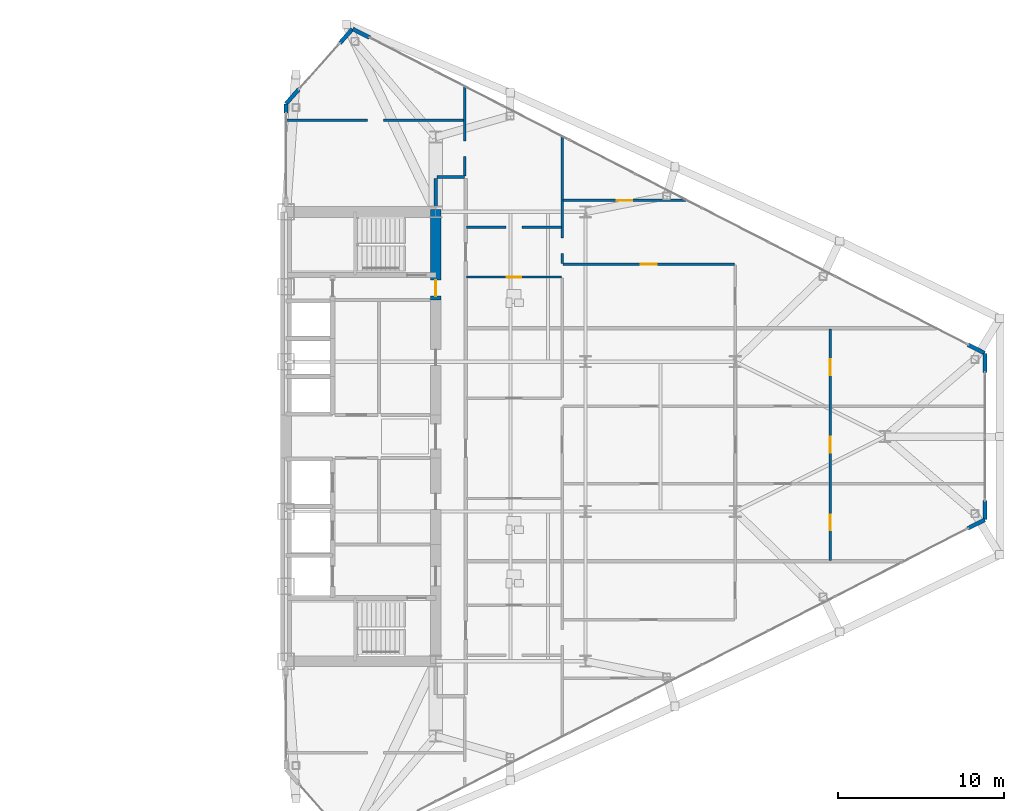
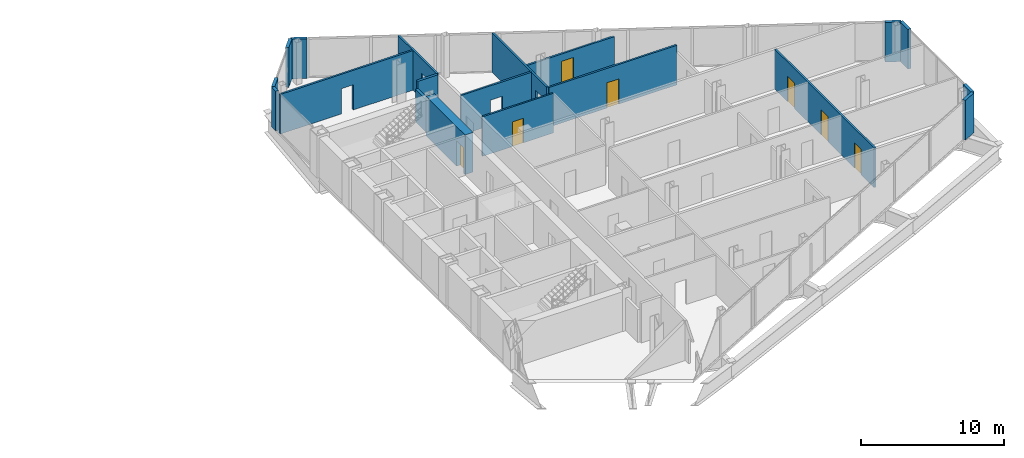
# One storey, part 24 of 28: 19 walls, 7 doors, 11 openings.
"""IFC4 building model written with IfcOpenShell, lengths in metres."""

from ifc_helpers import new_model, si_unit, direction, frame, frame_2d, origin, place, context, subcontext, project, spatial, rectangle, extrude, source, transform, mapped, material, layer, layer_set, type_object, type_shapes, element, fill, save


model = new_model("IFC4")

# Units and contexts
model_context = context("Model", 3, precision=1e-05, world=origin(), true_north=direction((0.0, 1.0)))
body_context = subcontext(model_context, "Body", "Model", "MODEL_VIEW")
ifc_project = project(units=[si_unit("LENGTHUNIT", "METRE"), si_unit("AREAUNIT", "SQUARE_METRE"), si_unit("VOLUMEUNIT", "CUBIC_METRE"), si_unit("PLANEANGLEUNIT", "RADIAN"), si_unit("MASSUNIT", "GRAM", prefix="KILO")], contexts=[model_context])

# Site, building, storey
site_placement = place(None, origin())
site = spatial("IfcSite", under=ifc_project, at=site_placement, CompositionType="ELEMENT")
building_placement = place(site_placement, origin())
building = spatial("IfcBuilding", under=site, at=building_placement, Name="Seokmaru Belvedere", CompositionType="ELEMENT")
storey_placement = place(building_placement, frame((0.0, 0.0, 110.39990234375)))
storey = spatial("IfcBuildingStorey", under=building, at=storey_placement, Name="L29", CompositionType="ELEMENT", Elevation=110.39990234375)

# Wall, opening, door
ifc_material_1 = material(Name="Fire-Rated Gypsum Shaftwall")
ifc_layer_1 = layer(ifc_material_1, 0.14990234375)
ifc_layer_set_1 = layer_set([ifc_layer_1], Name="Fire-Rated Gypsum Shaftwall")
wall_type_1 = type_object("IfcWallType", Name="Apartment Fire-Acoustic Room Partition 150", PredefinedType="PARTITIONING", material=ifc_layer_set_1)
wall_1_placement = place(storey_placement, frame((44.14990234375, 10.35009765625, 0.0), z_axis=(0.0, 0.0, 1.0), x_axis=(1.0, 0.0, 0.0)))
wall_1 = element("IfcWall", 1, at=wall_1_placement, inside=storey, type_object=wall_type_1, Name="L29 Interior Partition 028", PredefinedType="PARTITIONING", context=body_context, shape_type="SweptSolid", body=[
    extrude(rectangle(XDim=10.300048828125, YDim=0.14990234375, at=frame_2d((5.14990234375, 0.0))), origin(), (0.0, 0.0, 1.0), 3.380126953125),
])
opening_1_placement = place(wall_1_placement, frame((4.675048828125, 0.0, 0.0)))
opening_1 = element("IfcOpeningElement", 2, at=opening_1_placement, cuts=wall_1, Name="Opening D05", PredefinedType="OPENING", context=body_context, shape_type="SweptSolid", body=[
    extrude(rectangle(XDim=0.949951171875, YDim=2.14990234375, at=frame_2d((0.47509765625, 1.074951171875))), frame((0.0, 0.0849609375, 0.0), z_axis=(0.0, -1.0, 0.0), x_axis=(1.0, 0.0, 0.0)), (0.0, 0.0, 1.0), 0.169921875),
])
ifc_material_2 = material(Name="Engineered White Oak Timber", Category="wood")
door_type_1 = type_object("IfcDoorType", Name="Apartment Interior Fire-Rated Oak Door 950x2150", OperationType="NOTDEFINED", PredefinedType="DOOR", material=ifc_material_2)
shared_shape_1 = source(origin(), body_context, "Body", "SweptSolid", [
    extrude(rectangle(XDim=0.949951171875, YDim=2.14990234375, at=frame_2d((0.47509765625, 1.074951171875))), frame((0.0, 0.02490234375, 0.0), z_axis=(0.0, -1.0, 0.0), x_axis=(1.0, 0.0, 0.0)), (0.0, 0.0, 1.0), 0.050048828125),
])
type_shapes(door_type_1, [shared_shape_1])
door_1_placement = place(opening_1_placement, origin())
door_1 = element("IfcDoor", 3, at=door_1_placement, inside=storey, type_object=door_type_1, Name="L29 Interior Door 061", OperationType="SINGLE_SWING_RIGHT", OverallHeight=2.14990234375, OverallWidth=0.949951171875, PredefinedType="DOOR", context=body_context, shape_type="MappedRepresentation", body=[
    mapped(shared_shape_1, transform((0.0, 0.0, 0.0), scale=1.0)),
])
fill(opening_1, door_1)

# Wall, opening
wall_2_placement = place(storey_placement, frame((38.35009765625, 12.580078125, 0.0), z_axis=(0.0, 0.0, 1.0), x_axis=(1.0, 0.0, 0.0)))
wall_2 = element("IfcWall", 4, at=wall_2_placement, inside=storey, type_object=wall_type_1, Name="L29 Interior Partition 030", PredefinedType="PARTITIONING", context=body_context, shape_type="SweptSolid", body=[
    extrude(rectangle(XDim=5.699951171875, YDim=0.14990234375, at=frame_2d((2.85009765625, 0.0))), origin(), (0.0, 0.0, 1.0), 3.380126953125),
])
opening_2_placement = place(wall_2_placement, frame((2.375, 0.0, 0.0)))
element("IfcOpeningElement", 5, at=opening_2_placement, cuts=wall_2, Name="L29 Cased Opening 059", PredefinedType="OPENING", context=body_context, shape_type="SweptSolid", body=[
    extrude(rectangle(XDim=0.949951171875, YDim=2.14990234375, at=frame_2d((0.47509765625, 1.074951171875))), frame((0.0, 0.0849609375, 0.0), z_axis=(0.0, -1.0, 0.0), x_axis=(1.0, 0.0, 0.0)), (0.0, 0.0, 1.0), 0.169921875),
])

# Wall, opening, door
wall_3_placement = place(storey_placement, frame((44.14990234375, 14.18994140625, 0.0), z_axis=(0.0, 0.0, 1.0), x_axis=(1.0, 0.0, 0.0)))
wall_3 = element("IfcWall", 6, at=wall_3_placement, inside=storey, type_object=wall_type_1, Name="L29 Interior Partition 031", PredefinedType="PARTITIONING", context=body_context, shape_type="SweptSolid", body=[
    extrude(rectangle(XDim=7.47705078125, YDim=0.14990234375, at=frame_2d((3.738525390625, 0.0))), origin(), (0.0, 0.0, 1.0), 2.780029296875),
])
opening_3_placement = place(wall_3_placement, frame((3.22119140625, 0.0, 0.0)))
opening_3 = element("IfcOpeningElement", 7, at=opening_3_placement, cuts=wall_3, Name="Opening D05", PredefinedType="OPENING", context=body_context, shape_type="SweptSolid", body=[
    extrude(rectangle(XDim=0.949951171875, YDim=2.14990234375, at=frame_2d((0.47509765625, 1.074951171875))), frame((0.0, 0.0849609375, 0.0), z_axis=(0.0, -1.0, 0.0), x_axis=(1.0, 0.0, 0.0)), (0.0, 0.0, 1.0), 0.169921875),
])
door_2_placement = place(opening_3_placement, origin())
door_2 = element("IfcDoor", 8, at=door_2_placement, inside=storey, type_object=door_type_1, Name="L29 Interior Door 062", OperationType="SINGLE_SWING_LEFT", OverallHeight=2.14990234375, OverallWidth=0.949951171875, PredefinedType="DOOR", context=body_context, shape_type="MappedRepresentation", body=[
    mapped(shared_shape_1, transform((0.0, 0.0, 0.0), scale=1.0)),
])
fill(opening_3, door_2)

# Wall, opening
wall_4_placement = place(storey_placement, frame((27.465087890625, 19.0, 0.0), z_axis=(0.0, 0.0, 1.0), x_axis=(1.0, 0.0, 0.0)))
wall_4 = element("IfcWall", 9, at=wall_4_placement, inside=storey, type_object=wall_type_1, Name="L29 Interior Partition 036", PredefinedType="PARTITIONING", context=body_context, shape_type="SweptSolid", body=[
    extrude(rectangle(XDim=10.73486328125, YDim=0.14990234375, at=frame_2d((5.367431640625, 0.0))), origin(), (0.0, 0.0, 1.0), 3.380126953125),
])
opening_4_placement = place(wall_4_placement, frame((4.93505859375, 0.0, 0.0)))
element("IfcOpeningElement", 10, at=opening_4_placement, cuts=wall_4, Name="L29 Cased Opening 064", PredefinedType="OPENING", context=body_context, shape_type="SweptSolid", body=[
    extrude(rectangle(XDim=0.949951171875, YDim=2.14990234375, at=frame_2d((0.47509765625, 1.074951171875))), frame((0.0, 0.0849609375, 0.0), z_axis=(0.0, -1.0, 0.0), x_axis=(1.0, 0.0, 0.0)), (0.0, 0.0, 1.0), 0.169921875),
])

wall_5_placement = place(storey_placement, frame((38.25, 15.64990234375, 0.0), z_axis=(0.0, 0.0, 1.0), x_axis=(0.0, 1.0, 0.0)))
wall_5 = element("IfcWall", 11, at=wall_5_placement, inside=storey, type_object=wall_type_1, Name="L29 Interior Partition 050", PredefinedType="PARTITIONING", context=body_context, shape_type="SweptSolid", body=[
    extrude(rectangle(XDim=5.421142578125, YDim=0.14990234375, at=frame_2d((2.71044921875, 0.0))), origin(), (0.0, 0.0, 1.0), 3.380126953125),
])
opening_5_placement = place(wall_5_placement, frame((1.175048828125, 0.0, 0.0)))
element("IfcOpeningElement", 12, at=opening_5_placement, cuts=wall_5, Name="L29 Cased Opening 063", PredefinedType="OPENING", context=body_context, shape_type="SweptSolid", body=[
    extrude(rectangle(XDim=0.949951171875, YDim=2.14990234375, at=frame_2d((0.47509765625, 1.074951171875))), frame((0.0, 0.0849609375, 0.0), z_axis=(0.0, -1.0, 0.0), x_axis=(1.0, 0.0, 0.0)), (0.0, 0.0, 1.0), 0.169921875),
])

wall_6_placement = place(storey_placement, frame((44.10009765625, 10.39501953125, 0.0), z_axis=(0.0, 0.0, 1.0), x_axis=(0.0, 1.0, 0.0)))
wall_6 = element("IfcWall", 13, at=wall_6_placement, inside=storey, type_object=wall_type_1, Name="L29 Interior Partition 054", PredefinedType="PARTITIONING", context=body_context, shape_type="SweptSolid", body=[
    extrude(rectangle(XDim=7.674072265625, YDim=0.14990234375, at=frame_2d((3.8369140625, 0.0))), origin(), (0.0, 0.0, 1.0), 3.380126953125),
])
opening_6_placement = place(wall_6_placement, frame((0.591064453125, 0.0, 0.0)))
element("IfcOpeningElement", 14, at=opening_6_placement, cuts=wall_6, Name="L29 Cased Opening 060", PredefinedType="OPENING", context=body_context, shape_type="SweptSolid", body=[
    extrude(rectangle(XDim=0.949951171875, YDim=2.14990234375, at=frame_2d((0.47509765625, 1.074951171875))), frame((0.0, 0.0849609375, 0.0), z_axis=(0.0, -1.0, 0.0), x_axis=(1.0, 0.0, 0.0)), (0.0, 0.0, 1.0), 0.169921875),
])

# Wall, openings, doors
wall_7_placement = place(storey_placement, frame((60.199951171875, -7.449951171875, 0.0), z_axis=(0.0, 0.0, 1.0), x_axis=(0.0, 1.0, 0.0)))
wall_7 = element("IfcWall", 15, at=wall_7_placement, inside=storey, type_object=wall_type_1, Name="L29 Interior Partition 056", PredefinedType="PARTITIONING", context=body_context, shape_type="SweptSolid", body=[
    extrude(rectangle(XDim=13.89990234375, YDim=0.14990234375, at=frame_2d((6.949951171875, 0.0))), origin(), (0.0, 0.0, 1.0), 3.380126953125),
])
opening_7_placement = place(wall_7_placement, frame((1.808349609375, 0.0, 0.0)))
opening_7 = element("IfcOpeningElement", 16, at=opening_7_placement, cuts=wall_7, Name="Opening D05", PredefinedType="OPENING", context=body_context, shape_type="SweptSolid", body=[
    extrude(rectangle(XDim=0.949951171875, YDim=2.14990234375, at=frame_2d((0.47509765625, 1.074951171875))), frame((0.0, 0.0849609375, 0.0), z_axis=(0.0, -1.0, 0.0), x_axis=(1.0, 0.0, 0.0)), (0.0, 0.0, 1.0), 0.169921875),
])
opening_8_placement = place(wall_7_placement, frame((6.47509765625, 0.0, 0.0)))
opening_8 = element("IfcOpeningElement", 17, at=opening_8_placement, cuts=wall_7, Name="Opening D05", PredefinedType="OPENING", context=body_context, shape_type="SweptSolid", body=[
    extrude(rectangle(XDim=0.949951171875, YDim=2.14990234375, at=frame_2d((0.47509765625, 1.074951171875))), frame((0.0, 0.0849609375, 0.0), z_axis=(0.0, -1.0, 0.0), x_axis=(1.0, 0.0, 0.0)), (0.0, 0.0, 1.0), 0.169921875),
])
opening_9_placement = place(wall_7_placement, frame((11.1416015625, 0.0, 0.0)))
opening_9 = element("IfcOpeningElement", 18, at=opening_9_placement, cuts=wall_7, Name="Opening D05", PredefinedType="OPENING", context=body_context, shape_type="SweptSolid", body=[
    extrude(rectangle(XDim=0.949951171875, YDim=2.14990234375, at=frame_2d((0.47509765625, 1.074951171875))), frame((0.0, 0.0849609375, 0.0), z_axis=(0.0, -1.0, 0.0), x_axis=(1.0, 0.0, 0.0)), (0.0, 0.0, 1.0), 0.169921875),
])
door_3_placement = place(opening_7_placement, origin())
door_3 = element("IfcDoor", 19, at=door_3_placement, inside=storey, type_object=door_type_1, Name="L29 Interior Door 053", OperationType="SINGLE_SWING_LEFT", OverallHeight=2.14990234375, OverallWidth=0.949951171875, PredefinedType="DOOR", context=body_context, shape_type="MappedRepresentation", body=[
    mapped(shared_shape_1, transform((0.0, 0.0, 0.0), scale=1.0)),
])
fill(opening_7, door_3)
door_4_placement = place(opening_8_placement, origin())
door_4 = element("IfcDoor", 20, at=door_4_placement, inside=storey, type_object=door_type_1, Name="L29 Interior Door 054", OperationType="SINGLE_SWING_LEFT", OverallHeight=2.14990234375, OverallWidth=0.949951171875, PredefinedType="DOOR", context=body_context, shape_type="MappedRepresentation", body=[
    mapped(shared_shape_1, transform((0.0, 0.0, 0.0), scale=1.0)),
])
fill(opening_8, door_4)
door_5_placement = place(opening_9_placement, origin())
door_5 = element("IfcDoor", 21, at=door_5_placement, inside=storey, type_object=door_type_1, Name="L29 Interior Door 056", OperationType="SINGLE_SWING_LEFT", OverallHeight=2.14990234375, OverallWidth=0.949951171875, PredefinedType="DOOR", context=body_context, shape_type="MappedRepresentation", body=[
    mapped(shared_shape_1, transform((0.0, 0.0, 0.0), scale=1.0)),
])
fill(opening_9, door_5)

# Walls
ifc_layer_2 = layer(ifc_material_1, 0.199951171875)
ifc_layer_set_2 = layer_set([ifc_layer_2], Name="Fire-Rated Gypsum Shaftwall")
wall_type_2 = type_object("IfcWallType", Name="Inter-Tenancy Fire Compartment Partition 200", PredefinedType="PARTITIONING", material=ifc_layer_set_2)
wall_8_placement = place(storey_placement, frame((36.5849609375, 15.60009765625, 0.0), z_axis=(0.0, 0.0, 1.0), x_axis=(1.0, 0.0, 0.0)))
element("IfcWall", 22, at=wall_8_placement, inside=storey, type_object=wall_type_2, Name="L29 Interior Partition 034", PredefinedType="PARTITIONING", context=body_context, shape_type="SweptSolid", body=[
    extrude(rectangle(XDim=1.630126953125, YDim=0.199951171875, at=frame_2d((0.81494140625, 0.0))), origin(), (0.0, 0.0, 1.0), 3.380126953125),
])
wall_9_placement = place(storey_placement, frame((36.5, 13.830078125, 0.0), z_axis=(0.0, 0.0, 1.0), x_axis=(0.0, 1.0, 0.0)))
element("IfcWall", 23, at=wall_9_placement, inside=storey, type_object=wall_type_2, Name="L29 Interior Partition 048", PredefinedType="PARTITIONING", context=body_context, shape_type="SweptSolid", body=[
    extrude(rectangle(XDim=1.684814453125, YDim=0.199951171875, at=frame_2d((0.84228515625, 0.0))), origin(), (0.0, 0.0, 1.0), 2.780029296875),
])

# Wall, opening, door
ifc_material_3 = material(Name="Concrete C60 (60 MPa)", Category="concrete")
ifc_layer_3 = layer(ifc_material_3, 0.64990234375)
ifc_layer_set_3 = layer_set([ifc_layer_3], Name="Concrete C60 (60 MPa)")
wall_type_3 = type_object("IfcWallType", Name="Mid-Low Reinforced Concrete Core Wall 650", PredefinedType="SHEAR", material=ifc_layer_set_3)
wall_10_placement = place(storey_placement, frame((36.5, 8.199951171875, 0.0), z_axis=(0.0, 0.0, 1.0), x_axis=(0.0, 1.0, 0.0)))
wall_10 = element("IfcWall", 24, at=wall_10_placement, inside=storey, type_object=wall_type_3, Name="L29 East West Core Wall VST", PredefinedType="SHEAR", context=body_context, shape_type="SweptSolid", body=[
    extrude(rectangle(XDim=5.449951171875, YDim=0.64990234375, at=frame_2d((2.72509765625, 0.0))), origin(), (0.0, 0.0, 1.0), 3.380126953125),
])
opening_10_placement = place(wall_10_placement, frame((0.2451171875, 0.0, 0.0)))
opening_10 = element("IfcOpeningElement", 25, at=opening_10_placement, cuts=wall_10, Name="Opening D04", PredefinedType="OPENING", context=body_context, shape_type="SweptSolid", body=[
    extrude(rectangle(XDim=0.949951171875, YDim=2.14990234375, at=frame_2d((0.47509765625, 1.074951171875))), frame((0.0, 0.3349609375, 0.0), z_axis=(0.0, -1.0, 0.0), x_axis=(1.0, 0.0, 0.0)), (0.0, 0.0, 1.0), 0.669921875),
])
ifc_material_4 = material(Name="Fire-Rated Steel Leaf", Category="steel")
door_type_2 = type_object("IfcDoorType", Name="Core Service Room Fire Door 950x2150", OperationType="NOTDEFINED", PredefinedType="DOOR", material=ifc_material_4)
shared_shape_2 = source(origin(), body_context, "Body", "SweptSolid", [
    extrude(rectangle(XDim=0.949951171875, YDim=2.14990234375, at=frame_2d((0.47509765625, 1.074951171875))), frame((0.0, 0.02490234375, 0.0), z_axis=(0.0, -1.0, 0.0), x_axis=(1.0, 0.0, 0.0)), (0.0, 0.0, 1.0), 0.050048828125),
])
type_shapes(door_type_2, [shared_shape_2])
door_6_placement = place(opening_10_placement, origin())
door_6 = element("IfcDoor", 26, at=door_6_placement, inside=storey, type_object=door_type_2, Name="L29 East Smokeproof Vestibule Door", OperationType="SINGLE_SWING_LEFT", OverallHeight=2.14990234375, OverallWidth=0.949951171875, PredefinedType="DOOR", context=body_context, shape_type="MappedRepresentation", body=[
    mapped(shared_shape_2, transform((0.0, 0.0, 0.0), scale=1.0)),
])
fill(opening_10, door_6)

ifc_layer_4 = layer(ifc_material_1, 0.1298828125)
ifc_layer_set_4 = layer_set([ifc_layer_4], Name="Fire-Rated Gypsum Shaftwall")
wall_type_4 = type_object("IfcWallType", Name="Moisture-Resistant Fire-Rated Bathroom Partition 130", PredefinedType="PARTITIONING", material=ifc_layer_set_4)
wall_11_placement = place(storey_placement, frame((38.35009765625, 9.580078125, 0.0), z_axis=(0.0, 0.0, 1.0), x_axis=(1.0, 0.0, 0.0)))
wall_11 = element("IfcWall", 27, at=wall_11_placement, inside=storey, type_object=wall_type_4, Name="L29 Interior Partition 026", PredefinedType="PARTITIONING", context=body_context, shape_type="SweptSolid", body=[
    extrude(rectangle(XDim=5.699951171875, YDim=0.1298828125, at=frame_2d((2.85009765625, 0.0))), origin(), (0.0, 0.0, 1.0), 3.380126953125),
])
opening_11_placement = place(wall_11_placement, frame((2.409912109375, 0.0, 0.0)))
opening_11 = element("IfcOpeningElement", 28, at=opening_11_placement, cuts=wall_11, Name="Opening D06", PredefinedType="OPENING", context=body_context, shape_type="SweptSolid", body=[
    extrude(rectangle(XDim=0.8798828125, YDim=2.10009765625, at=frame_2d((0.43994140625, 1.050048828125))), frame((0.0, 0.074951171875, 0.0), z_axis=(0.0, -1.0, 0.0), x_axis=(1.0, 0.0, 0.0)), (0.0, 0.0, 1.0), 0.14990234375),
])
door_type_3 = type_object("IfcDoorType", Name="Bathroom and Restroom Fire-Rated Door 880x2100", OperationType="NOTDEFINED", PredefinedType="DOOR", material=ifc_material_2)
shared_shape_3 = source(origin(), body_context, "Body", "SweptSolid", [
    extrude(rectangle(XDim=0.8798828125, YDim=2.10009765625, at=frame_2d((0.43994140625, 1.050048828125))), frame((0.0, 0.02490234375, 0.0), z_axis=(0.0, -1.0, 0.0), x_axis=(1.0, 0.0, 0.0)), (0.0, 0.0, 1.0), 0.050048828125),
])
type_shapes(door_type_3, [shared_shape_3])
door_7_placement = place(opening_11_placement, origin())
door_7 = element("IfcDoor", 29, at=door_7_placement, inside=storey, type_object=door_type_3, Name="L29 Interior Door 058", OperationType="SINGLE_SWING_RIGHT", OverallHeight=2.10009765625, OverallWidth=0.8798828125, PredefinedType="DOOR", context=body_context, shape_type="MappedRepresentation", body=[
    mapped(shared_shape_3, transform((0.0, 0.0, 0.0), scale=1.0)),
])
fill(opening_11, door_7)

# Walls
ifc_material_5 = material(Name="Anodised Bronze Aluminium", Category="aluminium")
ifc_layer_5 = layer(ifc_material_5, 0.239990234375)
ifc_layer_set_5 = layer_set([ifc_layer_5], Name="Anodised Bronze Aluminium")
wall_type_5 = type_object("IfcWallType", Name="Tower Corner Spandrel Closure Wall 240", PredefinedType="SOLIDWALL", material=ifc_layer_set_5)
wall_12_placement = place(storey_placement, frame((68.476806640625, -5.52490234375, 0.0), z_axis=(0.0, 0.0, 1.0), x_axis=(0.889797395748, 0.456355776255, 0.0)))
element("IfcWall", 30, at=wall_12_placement, inside=storey, type_object=wall_type_5, Name="L29 E Corner Closure Pier 1B", PredefinedType="SOLIDWALL", context=body_context, shape_type="SweptSolid", body=[
    extrude(rectangle(XDim=1.14013671875, YDim=0.239990234375, at=frame_2d((0.570068359375, 0.0))), origin(), (0.0, 0.0, 1.0), 3.380126953125),
])
for number, where, z_axis, x_axis, name in (
    (31, (69.5, -4.989990234375, 0.0), (0.0, 0.0, 1.0), (0.0, 1.0, 0.0), "L29 E Corner Closure Pier 2A"),
    (32, (69.5, 3.85009765625, 0.0), (0.0, 0.0, 1.0), (0.0, 1.0, 0.0), "L29 E Corner Closure Pier 2B"),
):
    element("IfcWall", number, at=place(storey_placement, frame(where, z_axis=z_axis, x_axis=x_axis)), inside=storey, type_object=wall_type_5, Name=name, PredefinedType="SOLIDWALL", context=body_context, shape_type="SweptSolid", body=[
        extrude(rectangle(XDim=1.139892578125, YDim=0.239990234375, at=frame_2d((0.56982421875, 0.0))), origin(), (0.0, 0.0, 1.0), 3.380126953125),
    ])
for number, where, z_axis, x_axis, name in (
    (33, (69.4912109375, 5.004638671875, 0.0), (0.0, 0.0, 1.0), (-0.889797395748, 0.456355776255, 0.0), "L29 E Corner Closure Pier 3A"),
    (34, (32.523193359375, 23.97509765625, 0.0), (0.0, 0.0, 1.0), (-0.889797395748, 0.456355776255, 0.0), "L29 E Corner Closure Pier 3B"),
):
    element("IfcWall", number, at=place(storey_placement, frame(where, z_axis=z_axis, x_axis=x_axis)), inside=storey, type_object=wall_type_5, Name=name, PredefinedType="SOLIDWALL", context=body_context, shape_type="SweptSolid", body=[
        extrude(rectangle(XDim=1.14013671875, YDim=0.239990234375, at=frame_2d((0.570068359375, 0.0))), origin(), (0.0, 0.0, 1.0), 3.380126953125),
    ])
for number, where, z_axis, x_axis, name in (
    (35, (31.493408203125, 24.492431640625, 0.0), (0.0, 0.0, 1.0), (-0.664337252513, -0.747432950119, 0.0), "L29 E Corner Closure Pier 4A"),
    (36, (28.263916015625, 20.859619140625, 0.0), (0.0, 0.0, 1.0), (-0.664337252513, -0.747432950119, 0.0), "L29 E Corner Closure Pier 4B"),
):
    element("IfcWall", number, at=place(storey_placement, frame(where, z_axis=z_axis, x_axis=x_axis)), inside=storey, type_object=wall_type_5, Name=name, PredefinedType="SOLIDWALL", context=body_context, shape_type="SweptSolid", body=[
        extrude(rectangle(XDim=1.139892578125, YDim=0.239990234375, at=frame_2d((0.56982421875, 0.0))), origin(), (0.0, 0.0, 1.0), 3.380126953125),
    ])
wall_13_placement = place(storey_placement, frame((27.5, 19.429931640625, 0.0), z_axis=(0.0, 0.0, 1.0), x_axis=(0.0, 1.0, 0.0)))
element("IfcWall", 37, at=wall_13_placement, inside=storey, type_object=wall_type_5, Name="L29 E Spine Closure Pier 2B", PredefinedType="SOLIDWALL", context=body_context, shape_type="SweptSolid", body=[
    extrude(rectangle(XDim=0.550048828125, YDim=0.239990234375, at=frame_2d((0.27490234375, 0.0))), origin(), (0.0, 0.0, 1.0), 3.380126953125),
])

save(model, "model.ifc")
